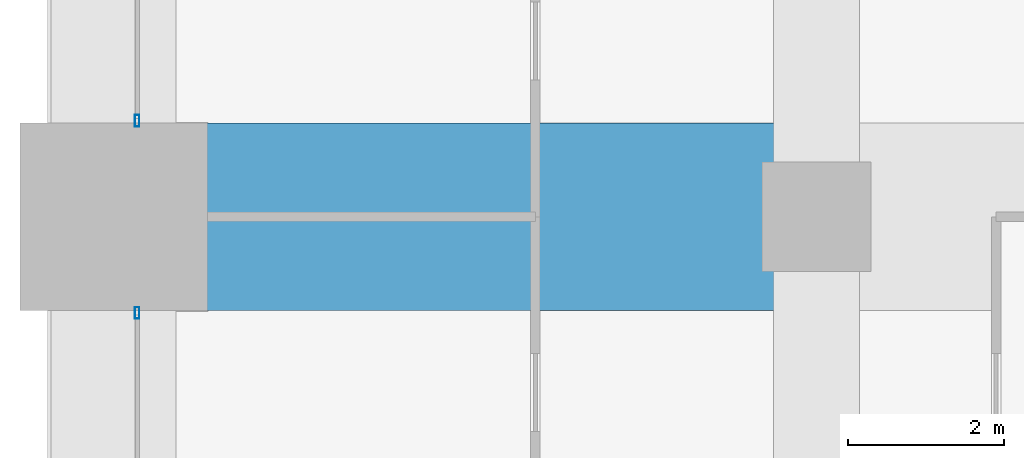
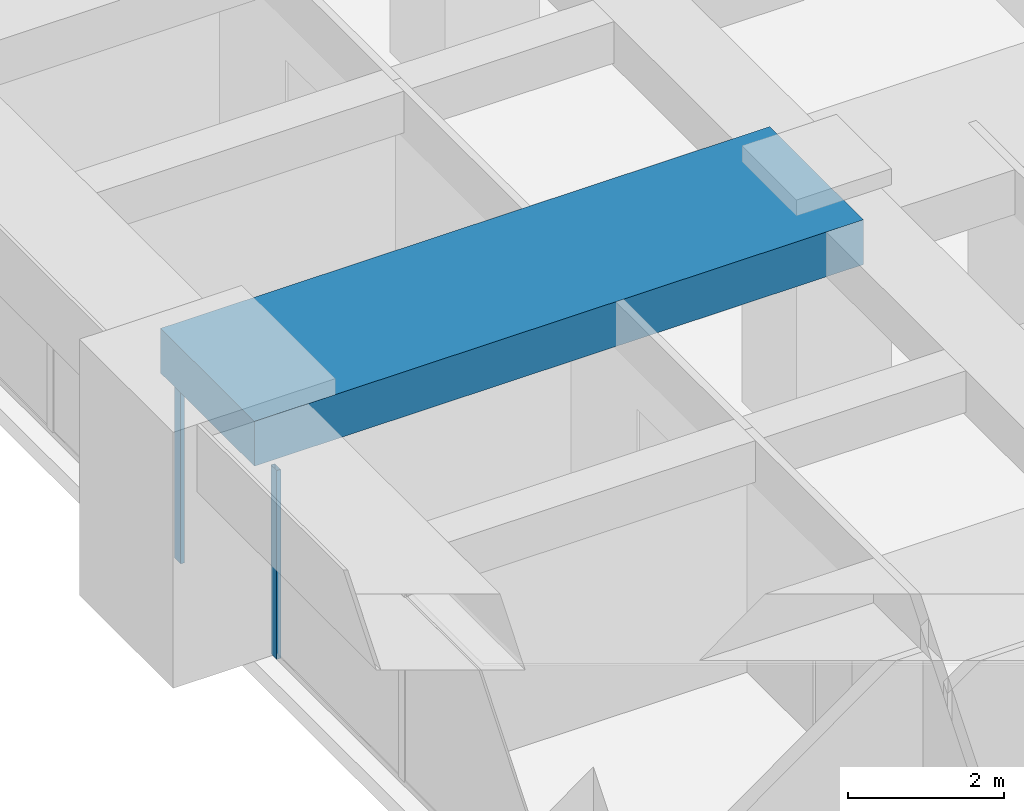
# One storey, part 11 of 35: 2 members, 1 beam, 2 elements without a shape of their own.
"""IFC4 building model written with IfcOpenShell, lengths in metres."""

from ifc_helpers import new_model, si_unit, direction, frame, origin, origin_2d, place, context, subcontext, project, spatial, rectangle, hollow_rectangle, extrude, material, material_profile, profile_set, type_object, element, aggregate, save


model = new_model("IFC4")

# Units and contexts
model_context = context("Model", 3, precision=1e-05, world=origin(), true_north=direction((0.0, 1.0)))
body_context = subcontext(model_context, "Body", "Model", "MODEL_VIEW")
ifc_project = project(units=[si_unit("LENGTHUNIT", "METRE"), si_unit("AREAUNIT", "SQUARE_METRE"), si_unit("VOLUMEUNIT", "CUBIC_METRE"), si_unit("PLANEANGLEUNIT", "RADIAN"), si_unit("MASSUNIT", "GRAM", prefix="KILO")], contexts=[model_context])

# Site, building, storey
site_placement = place(None, origin())
site = spatial("IfcSite", under=ifc_project, at=site_placement, CompositionType="ELEMENT")
building_placement = place(site_placement, origin())
building = spatial("IfcBuilding", under=site, at=building_placement, Name="Zorevar Civic Tower", CompositionType="ELEMENT")
storey_placement = place(building_placement, frame((0.0, 0.0, 218.199951171875)))
storey = spatial("IfcBuildingStorey", under=building, at=storey_placement, Name="L53", CompositionType="ELEMENT", Elevation=218.199951171875)

# Beam
ifc_material_1 = material(Name="Concrete C50/60", Category="concrete")
ifc_material_profile_1 = material_profile(ifc_material_1, rectangle(XDim=2.39990234375, YDim=0.699951171875, at=origin_2d()), Name="RC 2400x700")
ifc_profile_set_1 = profile_set([ifc_material_profile_1], Name="Concrete C50/60")
beam_type = type_object("IfcBeamType", Name="Beam RC 2400x700", PredefinedType="BEAM", material=ifc_profile_set_1)
beam_placement = place(storey_placement, frame((0.0, 27.0, 3.400146484375), z_axis=(1.0, 0.0, 0.0), x_axis=(0.0, 1.0, 0.0)))
element("IfcBeam", 1, at=beam_placement, inside=storey, type_object=beam_type, Name="Girder L54", PredefinedType="BEAM", context=body_context, shape_type="SweptSolid", body=[
    extrude(rectangle(XDim=2.39990234375, YDim=0.699951171875, at=origin_2d()), origin(), (0.0, 0.0, 1.0), 9.0),
])

# Curtain wall, member
ifc_material_2 = material(Name="Dark grey solar-control glass in black aluminium frame", Category="aluminium")
curtain_wall_type = type_object("IfcCurtainWallType", Name="Curtain wall CW4 high zone", PredefinedType="NOTDEFINED", material=ifc_material_2)
curtain_wall_1_placement = place(storey_placement, origin())
curtain_wall_1 = element("IfcCurtainWall", 2, at=curtain_wall_1_placement, inside=storey, type_object=curtain_wall_type, Name="CW4 L53", PredefinedType="NOTDEFINED")
ifc_material_3 = material(Name="Aluminium, black anodised", Category="aluminium")
ifc_material_profile_2 = material_profile(ifc_material_3, hollow_rectangle(XDim=0.06005859375, YDim=0.14990234375, WallThickness=0.00390625, at=origin_2d()), Name="AL 150x60x4")
ifc_profile_set_2 = profile_set([ifc_material_profile_2], Name="Aluminium, black anodised")
member_type = type_object("IfcMemberType", Name="CW4 mullion AL 150x60x4", PredefinedType="MULLION", material=ifc_profile_set_2)
member_1_placement = place(storey_placement, frame((0.300048828125, 25.77001953125, 0.0), z_axis=(0.0, 0.0, 1.0), x_axis=(-1.0, 0.0, 0.0)))
member_1 = element("IfcMember", 3, at=member_1_placement, type_object=member_type, Name="CW4 mullion 3", PredefinedType="MULLION", context=body_context, shape_type="SweptSolid", body=[
    extrude(hollow_rectangle(XDim=0.06005859375, YDim=0.14990234375, WallThickness=0.00390625, at=origin_2d()), origin(), (0.0, 0.0, 1.0), 2.949951171875),
])
aggregate(curtain_wall_1, [member_1])

curtain_wall_2_placement = place(storey_placement, origin())
curtain_wall_2 = element("IfcCurtainWall", 4, at=curtain_wall_2_placement, inside=storey, type_object=curtain_wall_type, Name="CW4 L53", PredefinedType="NOTDEFINED")
member_2_placement = place(storey_placement, frame((0.300048828125, 28.22998046875, 0.0), z_axis=(0.0, 0.0, 1.0), x_axis=(-1.0, 0.0, 0.0)))
member_2 = element("IfcMember", 5, at=member_2_placement, type_object=member_type, Name="CW4 mullion 1", PredefinedType="MULLION", context=body_context, shape_type="SweptSolid", body=[
    extrude(hollow_rectangle(XDim=0.06005859375, YDim=0.14990234375, WallThickness=0.00390625, at=origin_2d()), origin(), (0.0, 0.0, 1.0), 2.949951171875),
])
aggregate(curtain_wall_2, [member_2])

save(model, "model.ifc")
